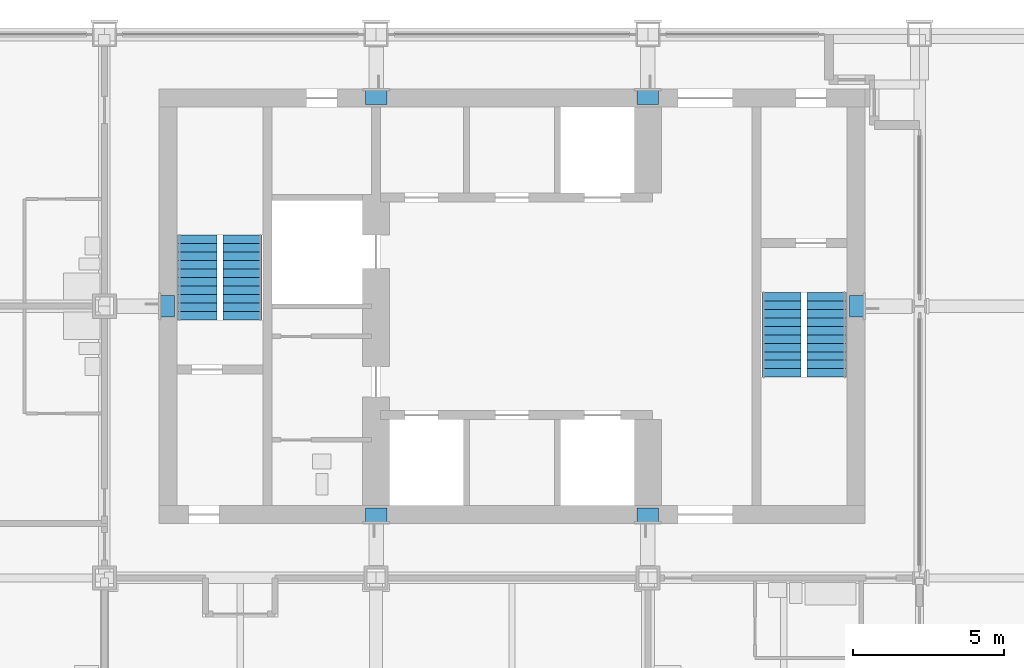
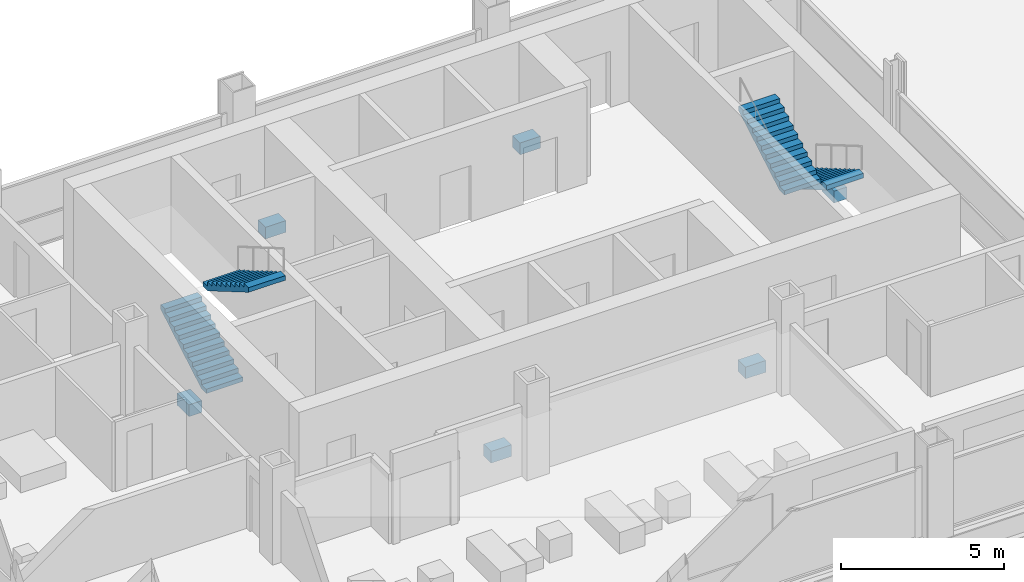
# One storey, part 9 of 12: 6 discrete accessories, 4 stair flights, 2 elements without a shape of their own.
"""IFC4 building model written with IfcOpenShell, lengths in metres."""

from ifc_helpers import new_model, si_unit, direction, frame, origin, origin_2d, place, context, subcontext, project, spatial, polyline, rectangle, outline, extrude, material, type_object, element, aggregate, save


model = new_model("IFC4")

# Units and contexts
model_context = context("Model", 3, precision=1e-05, world=origin(), true_north=direction((0.0, 1.0)))
body_context = subcontext(model_context, "Body", "Model", "MODEL_VIEW")
ifc_project = project(units=[si_unit("LENGTHUNIT", "METRE"), si_unit("AREAUNIT", "SQUARE_METRE"), si_unit("VOLUMEUNIT", "CUBIC_METRE"), si_unit("PLANEANGLEUNIT", "RADIAN"), si_unit("MASSUNIT", "GRAM", prefix="KILO")], contexts=[model_context])

# Site, building, storey
site_placement = place(None, origin())
site = spatial("IfcSite", under=ifc_project, at=site_placement, CompositionType="ELEMENT")
building_placement = place(site_placement, origin())
building = spatial("IfcBuilding", under=site, at=building_placement, Name="Loomwork Tower", CompositionType="ELEMENT")
storey_placement = place(building_placement, frame((0.0, 0.0, 226.60009765625)))
storey = spatial("IfcBuildingStorey", under=building, at=storey_placement, Name="L62", CompositionType="ELEMENT", Elevation=226.60009765625)

# Stair, stair flights
ifc_material_1 = material(Name="Concrete 5000 psi (34 MPa) precast stair", Category="concrete")
stair_type_1 = type_object("IfcStairType", Name="Stair ST-A 22 risers 2850 wide", PredefinedType="HALF_TURN_STAIR", material=ifc_material_1)
stair_1_placement = place(storey_placement, origin())
stair_1 = element("IfcStair", 1, at=stair_1_placement, inside=storey, type_object=stair_type_1, Name="Stair A L62", PredefinedType="HALF_TURN_STAIR")
ifc_material_2 = material(Name="Concrete 5000 psi (34 MPa) precast stair", Category="concrete")
stair_flight_type_1 = type_object("IfcStairFlightType", Name="Stair flight ST-A 11 risers 1300 wide", PredefinedType="STRAIGHT", material=ifc_material_2)
stair_flight_1_placement = place(storey_placement, frame((12.074951171875, 17.550048828125, 0.0), z_axis=(0.0, 0.0, 1.0), x_axis=(0.0, 1.0, 0.0)))
stair_flight_1 = element("IfcStairFlight", 2, at=stair_flight_1_placement, type_object=stair_flight_type_1, Name="ST-A flight 1", NumberOfRisers=11, NumberOfTreads=10, PredefinedType="STRAIGHT", RiserHeight=0.163636364, TreadLength=0.28, context=body_context, shape_type="SweptSolid", body=[
    extrude(outline(polyline([(0.0, 0.0), (0.0, 0.16357421875), (0.280029296875, 0.16357421875), (0.280029296875, 0.327392578125), (0.56005859375, 0.327392578125), (0.56005859375, 0.490966796875), (0.840087890625, 0.490966796875), (0.840087890625, 0.654541015625), (1.1201171875, 0.654541015625), (1.1201171875, 0.818115234375), (1.39990234375, 0.818115234375), (1.39990234375, 0.98193359375), (1.679931640625, 0.98193359375), (1.679931640625, 1.1455078125), (1.9599609375, 1.1455078125), (1.9599609375, 1.30908203125), (2.239990234375, 1.30908203125), (2.239990234375, 1.47265625), (2.52001953125, 1.47265625), (2.52001953125, 1.636474609375), (2.800048828125, 1.636474609375), (2.800048828125, 1.800048828125), (2.800048828125, 1.462646484375), (0.297119140625, 0.0), (0.0, 0.0)])), frame((0.0, 0.64990234375, 0.0), z_axis=(0.0, -1.0, 0.0), x_axis=(1.0, 0.0, 0.0)), (0.0, 0.0, 1.0), 1.300048828125),
])
stair_flight_2_placement = place(storey_placement, frame((13.574951171875, 20.35009765625, 1.7998046875), z_axis=(0.0, 0.0, 1.0), x_axis=(0.0, -1.0, 0.0)))
stair_flight_2 = element("IfcStairFlight", 3, at=stair_flight_2_placement, type_object=stair_flight_type_1, Name="ST-A flight 2", NumberOfRisers=11, NumberOfTreads=10, PredefinedType="STRAIGHT", RiserHeight=0.163636364, TreadLength=0.28, context=body_context, shape_type="SweptSolid", body=[
    extrude(outline(polyline([(0.0, 0.0), (0.0, 0.16357421875), (0.280029296875, 0.16357421875), (0.280029296875, 0.327392578125), (0.56005859375, 0.327392578125), (0.56005859375, 0.490966796875), (0.840087890625, 0.490966796875), (0.840087890625, 0.654541015625), (1.1201171875, 0.654541015625), (1.1201171875, 0.818115234375), (1.39990234375, 0.818115234375), (1.39990234375, 0.98193359375), (1.679931640625, 0.98193359375), (1.679931640625, 1.1455078125), (1.9599609375, 1.1455078125), (1.9599609375, 1.30908203125), (2.239990234375, 1.30908203125), (2.239990234375, 1.47265625), (2.52001953125, 1.47265625), (2.52001953125, 1.636474609375), (2.800048828125, 1.636474609375), (2.800048828125, 1.800048828125), (2.800048828125, 1.462646484375), (0.297119140625, 0.0), (0.0, 0.0)])), frame((0.0, 0.64990234375, 0.0), z_axis=(0.0, -1.0, 0.0), x_axis=(1.0, 0.0, 0.0)), (0.0, 0.0, 1.0), 1.300048828125),
])
aggregate(stair_1, [stair_flight_1, stair_flight_2])

ifc_material_3 = material(Name="Concrete 5000 psi (34 MPa) precast stair", Category="concrete")
stair_type_2 = type_object("IfcStairType", Name="Stair ST-B 22 risers 2850 wide", PredefinedType="HALF_TURN_STAIR", material=ifc_material_3)
stair_2_placement = place(storey_placement, origin())
stair_2 = element("IfcStair", 4, at=stair_2_placement, inside=storey, type_object=stair_type_2, Name="Stair B L62", PredefinedType="HALF_TURN_STAIR")
ifc_material_4 = material(Name="Concrete 5000 psi (34 MPa) precast stair", Category="concrete")
stair_flight_type_2 = type_object("IfcStairFlightType", Name="Stair flight ST-B 11 risers 1300 wide", PredefinedType="STRAIGHT", material=ifc_material_4)
stair_flight_3_placement = place(storey_placement, frame((32.925048828125, 18.449951171875, 0.0), z_axis=(0.0, 0.0, 1.0), x_axis=(0.0, -1.0, 0.0)))
stair_flight_3 = element("IfcStairFlight", 5, at=stair_flight_3_placement, type_object=stair_flight_type_2, Name="ST-B flight 1", NumberOfRisers=11, NumberOfTreads=10, PredefinedType="STRAIGHT", RiserHeight=0.163636364, TreadLength=0.28, context=body_context, shape_type="SweptSolid", body=[
    extrude(outline(polyline([(0.0, 0.0), (0.0, 0.16357421875), (0.280029296875, 0.16357421875), (0.280029296875, 0.327392578125), (0.56005859375, 0.327392578125), (0.56005859375, 0.490966796875), (0.840087890625, 0.490966796875), (0.840087890625, 0.654541015625), (1.1201171875, 0.654541015625), (1.1201171875, 0.818115234375), (1.39990234375, 0.818115234375), (1.39990234375, 0.98193359375), (1.679931640625, 0.98193359375), (1.679931640625, 1.1455078125), (1.9599609375, 1.1455078125), (1.9599609375, 1.30908203125), (2.239990234375, 1.30908203125), (2.239990234375, 1.47265625), (2.52001953125, 1.47265625), (2.52001953125, 1.636474609375), (2.800048828125, 1.636474609375), (2.800048828125, 1.800048828125), (2.800048828125, 1.462646484375), (0.297119140625, 0.0), (0.0, 0.0)])), frame((0.0, 0.64990234375, 0.0), z_axis=(0.0, -1.0, 0.0), x_axis=(1.0, 0.0, 0.0)), (0.0, 0.0, 1.0), 1.300048828125),
])
stair_flight_4_placement = place(storey_placement, frame((31.425048828125, 15.64990234375, 1.7998046875), z_axis=(0.0, 0.0, 1.0), x_axis=(0.0, 1.0, 0.0)))
stair_flight_4 = element("IfcStairFlight", 6, at=stair_flight_4_placement, type_object=stair_flight_type_2, Name="ST-B flight 2", NumberOfRisers=11, NumberOfTreads=10, PredefinedType="STRAIGHT", RiserHeight=0.163636364, TreadLength=0.28, context=body_context, shape_type="SweptSolid", body=[
    extrude(outline(polyline([(0.0, 0.0), (0.0, 0.16357421875), (0.280029296875, 0.16357421875), (0.280029296875, 0.327392578125), (0.56005859375, 0.327392578125), (0.56005859375, 0.490966796875), (0.840087890625, 0.490966796875), (0.840087890625, 0.654541015625), (1.1201171875, 0.654541015625), (1.1201171875, 0.818115234375), (1.39990234375, 0.818115234375), (1.39990234375, 0.98193359375), (1.679931640625, 0.98193359375), (1.679931640625, 1.1455078125), (1.9599609375, 1.1455078125), (1.9599609375, 1.30908203125), (2.239990234375, 1.30908203125), (2.239990234375, 1.47265625), (2.52001953125, 1.47265625), (2.52001953125, 1.636474609375), (2.800048828125, 1.636474609375), (2.800048828125, 1.800048828125), (2.800048828125, 1.462646484375), (0.297119140625, 0.0), (0.0, 0.0)])), frame((0.0, 0.64990234375, 0.0), z_axis=(0.0, -1.0, 0.0), x_axis=(1.0, 0.0, 0.0)), (0.0, 0.0, 1.0), 1.300048828125),
])
aggregate(stair_2, [stair_flight_3, stair_flight_4])

# Discrete accessories
ifc_material_5 = material(Name="Steel ASTM A706 Grade 60", Category="steel")
discrete_accessory_type = type_object("IfcDiscreteAccessoryType", Name="Outrigger core-wall anchor bar group", PredefinedType="USERDEFINED", material=ifc_material_5)
discrete_accessory_1_placement = place(storey_placement, frame((33.910888671875, 18.0, -0.7197265625), z_axis=(0.0, 0.0, 1.0), x_axis=(1.0, 0.0, 0.0)))
element("IfcDiscreteAccessory", 7, at=discrete_accessory_1_placement, inside=storey, type_object=discrete_accessory_type, Name="Outrigger core-wall anchor bar group 36,18-33.9,18 L62", ObjectType="ANCHOR BAR GROUP", PredefinedType="USERDEFINED", context=body_context, shape_type="SweptSolid", body=[
    extrude(rectangle(XDim=0.4599609375, YDim=0.719970703125, at=origin_2d()), origin(), (0.0, 0.0, 1.0), 0.43994140625),
])
for number, where, z_axis, x_axis, name in (
    (8, (27.0, 11.089111328125, -0.7197265625), (0.0, 0.0, 1.0), (1.0, 0.0, 0.0), "Outrigger core-wall anchor bar group 27,9-27,11.1 L62"),
    (9, (27.0, 24.910888671875, -0.7197265625), (0.0, 0.0, 1.0), (1.0, 0.0, 0.0), "Outrigger core-wall anchor bar group 27,27-27,24.9 L62"),
    (10, (18.0, 11.089111328125, -0.7197265625), (0.0, 0.0, 1.0), (1.0, 0.0, 0.0), "Outrigger core-wall anchor bar group 18,9-18,11.1 L62"),
    (11, (18.0, 24.910888671875, -0.7197265625), (0.0, 0.0, 1.0), (1.0, 0.0, 0.0), "Outrigger core-wall anchor bar group 18,27-18,24.9 L62"),
):
    element("IfcDiscreteAccessory", number, at=place(storey_placement, frame(where, z_axis=z_axis, x_axis=x_axis)), inside=storey, type_object=discrete_accessory_type, Name=name, ObjectType="ANCHOR BAR GROUP", PredefinedType="USERDEFINED", context=body_context, shape_type="SweptSolid", body=[
        extrude(rectangle(XDim=0.719970703125, YDim=0.4599609375, at=origin_2d()), origin(), (0.0, 0.0, 1.0), 0.43994140625),
    ])
discrete_accessory_2_placement = place(storey_placement, frame((11.089111328125, 18.0, -0.7197265625), z_axis=(0.0, 0.0, 1.0), x_axis=(1.0, 0.0, 0.0)))
element("IfcDiscreteAccessory", 12, at=discrete_accessory_2_placement, inside=storey, type_object=discrete_accessory_type, Name="Outrigger core-wall anchor bar group 9,18-11.1,18 L62", ObjectType="ANCHOR BAR GROUP", PredefinedType="USERDEFINED", context=body_context, shape_type="SweptSolid", body=[
    extrude(rectangle(XDim=0.4599609375, YDim=0.719970703125, at=origin_2d()), origin(), (0.0, 0.0, 1.0), 0.43994140625),
])

save(model, "model.ifc")
